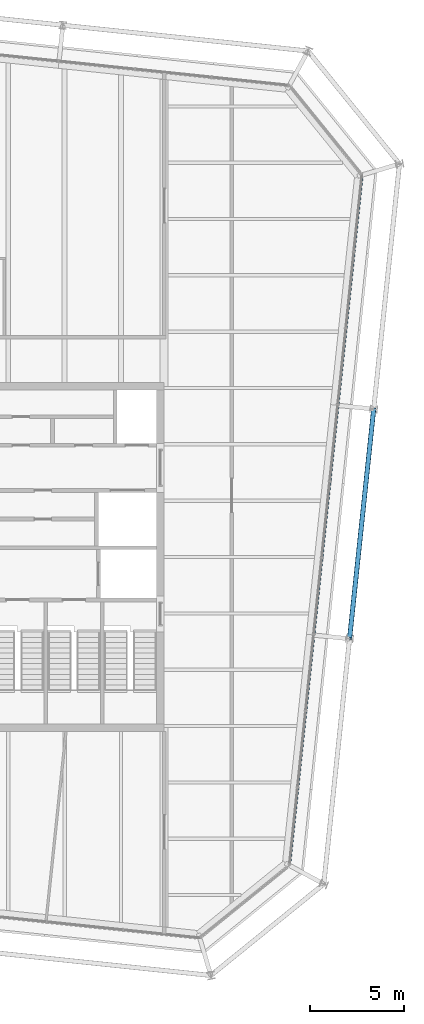
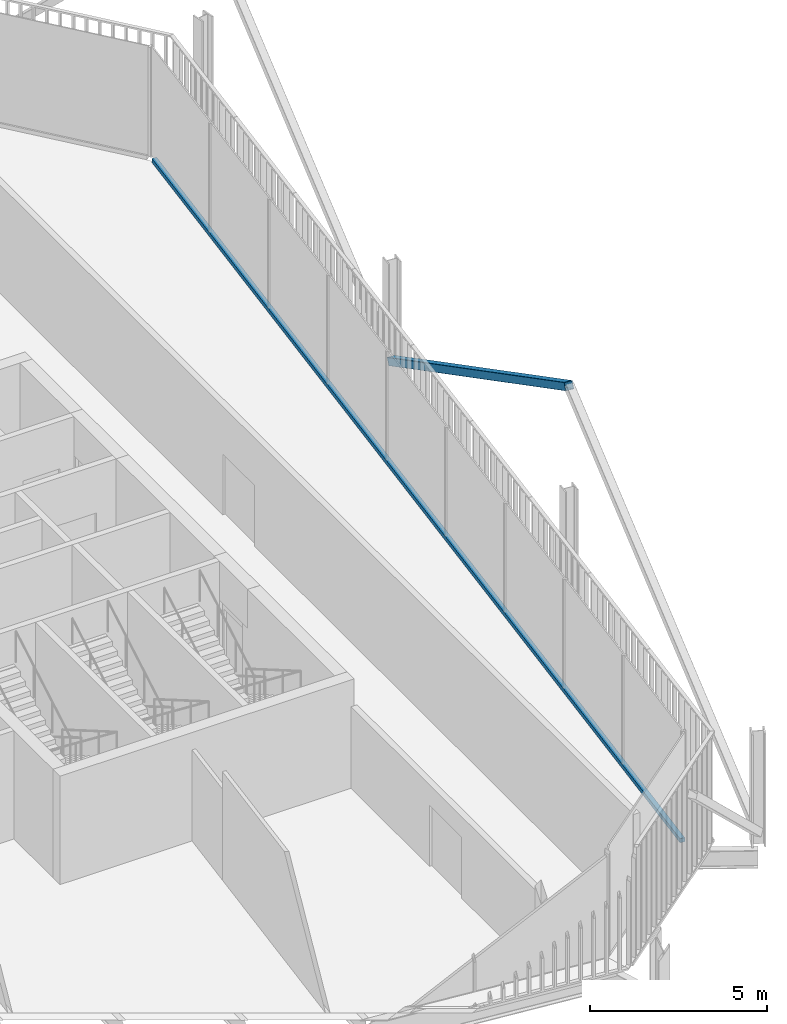
# One storey, part 10 of 21: 2 members, 1 element without a shape of its own.
"""IFC4 building model written with IfcOpenShell, lengths in metres."""

from ifc_helpers import new_model, si_unit, direction, frame, origin, origin_2d, place, context, subcontext, project, spatial, rectangle, hollow_rectangle, extrude, material, layer, layer_set, material_profile, profile_set, type_object, element, aggregate, save


model = new_model("IFC4")

# Units and contexts
model_context = context("Model", 3, precision=1e-05, world=origin(), true_north=direction((0.0, 1.0)))
body_context = subcontext(model_context, "Body", "Model", "MODEL_VIEW")
ifc_project = project(units=[si_unit("LENGTHUNIT", "METRE"), si_unit("AREAUNIT", "SQUARE_METRE"), si_unit("VOLUMEUNIT", "CUBIC_METRE"), si_unit("PLANEANGLEUNIT", "RADIAN"), si_unit("MASSUNIT", "GRAM", prefix="KILO")], contexts=[model_context])

# Site, building, storey
site_placement = place(None, origin())
site = spatial("IfcSite", under=ifc_project, at=site_placement, CompositionType="ELEMENT")
building_placement = place(site_placement, origin())
building = spatial("IfcBuilding", under=site, at=building_placement, Name="Millrace Tower", CompositionType="ELEMENT")
storey_placement = place(building_placement, frame((0.0, 0.0, 318.699951171875)))
storey = spatial("IfcBuildingStorey", under=building, at=storey_placement, Name="L73", CompositionType="ELEMENT", Elevation=318.699951171875)

# Curtain wall, member
ifc_material_1 = material(Name="Aluminium and glass", Category="aluminium")
ifc_layer = layer(ifc_material_1, 0.14990234375)
ifc_layer_set = layer_set([ifc_layer], Name="Aluminium and glass")
curtain_wall_type = type_object("IfcCurtainWallType", Name="CW-1 office vision curtain wall", PredefinedType="NOTDEFINED", material=ifc_layer_set)
curtain_wall_placement = place(storey_placement, origin())
curtain_wall = element("IfcCurtainWall", 1, at=curtain_wall_placement, inside=storey, type_object=curtain_wall_type, Name="Curtain wall E-F04 L73", PredefinedType="NOTDEFINED")
ifc_material_2 = material(Name="Aluminium", Category="aluminium")
ifc_material_profile_1 = material_profile(ifc_material_2, rectangle(XDim=0.14990234375, YDim=0.139892578125, at=origin_2d()))
ifc_profile_set_1 = profile_set([ifc_material_profile_1], Name="Aluminium")
member_type_1 = type_object("IfcMemberType", Name="CW-1 office vision curtain wall transom", PredefinedType="USERDEFINED", material=ifc_profile_set_1)
member_1_placement = place(storey_placement, frame((20.98193359375, -16.285400390625, 0.070068359375), z_axis=(0.104527916025, 0.994521952886, 0.0), x_axis=(-0.994521952886, 0.104527916025, 0.0)))
member_1 = element("IfcMember", 2, at=member_1_placement, type_object=member_type_1, Name="CW1 transom E-F04.1", ObjectType="TRANSOM", PredefinedType="USERDEFINED", context=body_context, shape_type="SweptSolid", body=[
    extrude(rectangle(XDim=0.14990234375, YDim=0.139892578125, at=origin_2d()), origin(), (0.0, 0.0, 1.0), 36.699951171875),
])
aggregate(curtain_wall, [member_1])

# Member
ifc_material_3 = material(Name="Steel ASTM A500 Grade C", Category="steel")
ifc_material_profile_2 = material_profile(ifc_material_3, hollow_rectangle(XDim=0.25390625, YDim=0.25390625, WallThickness=0.009521484375, InnerFilletRadius=0.004638671875, OuterFilletRadius=0.014404296875, at=origin_2d()))
ifc_profile_set_2 = profile_set([ifc_material_profile_2], Name="Steel ASTM A500 Grade C")
member_type_2 = type_object("IfcMemberType", Name="Exoskeleton brace HSS10x10x3/8", PredefinedType="BRACE", material=ifc_profile_set_2)
member_2_placement = place(storey_placement, frame((25.457275390625, 7.879150390625, 0.400146484375), z_axis=(-0.090844087175, -0.864347159857, 0.494622420713), x_axis=(0.994522189618, -0.10452566363, 0.0)))
element("IfcMember", 3, at=member_2_placement, inside=storey, type_object=member_type_2, Name="BRC-E-L73-07", PredefinedType="BRACE", context=body_context, shape_type="SweptSolid", body=[
    extrude(hollow_rectangle(XDim=0.25390625, YDim=0.25390625, WallThickness=0.009521484375, InnerFilletRadius=0.004638671875, OuterFilletRadius=0.014404296875, at=origin_2d()), origin(), (0.0, 0.0, 1.0), 14.152099609375),
])

save(model, "model.ifc")
